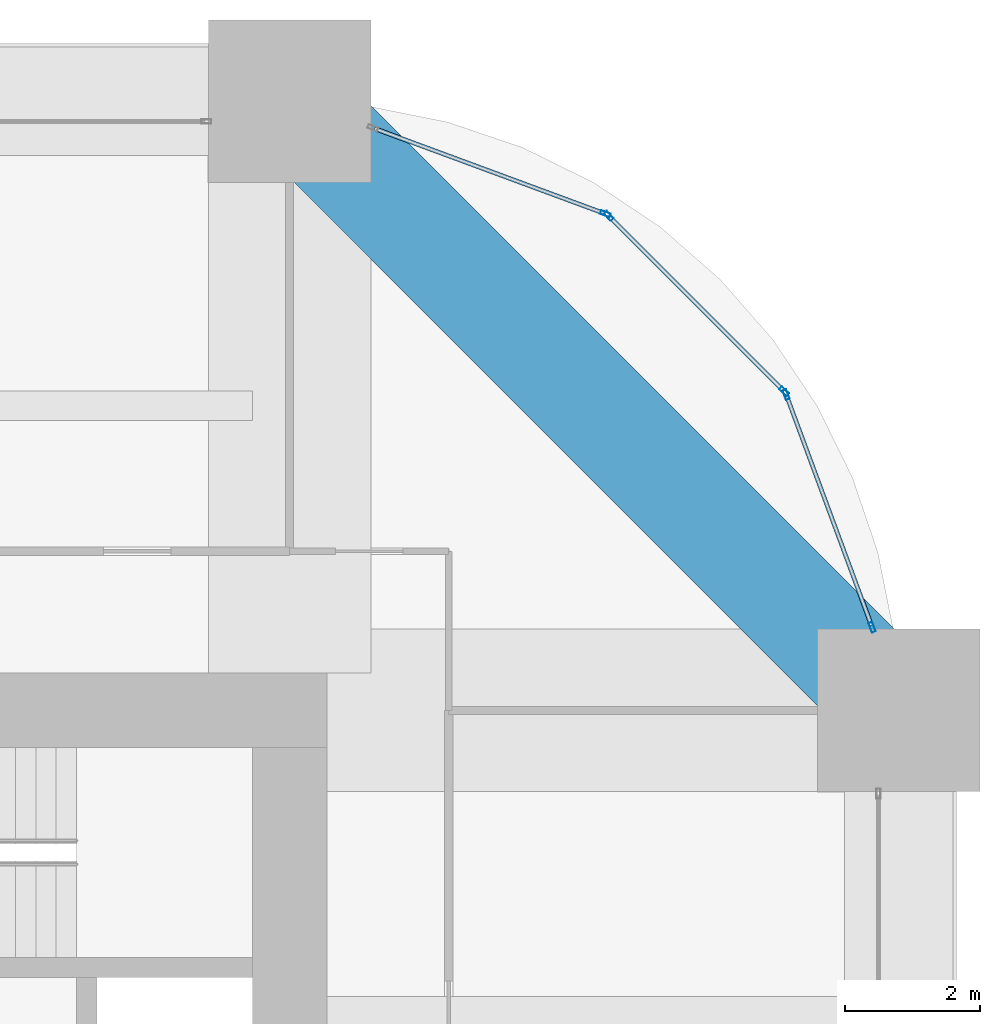
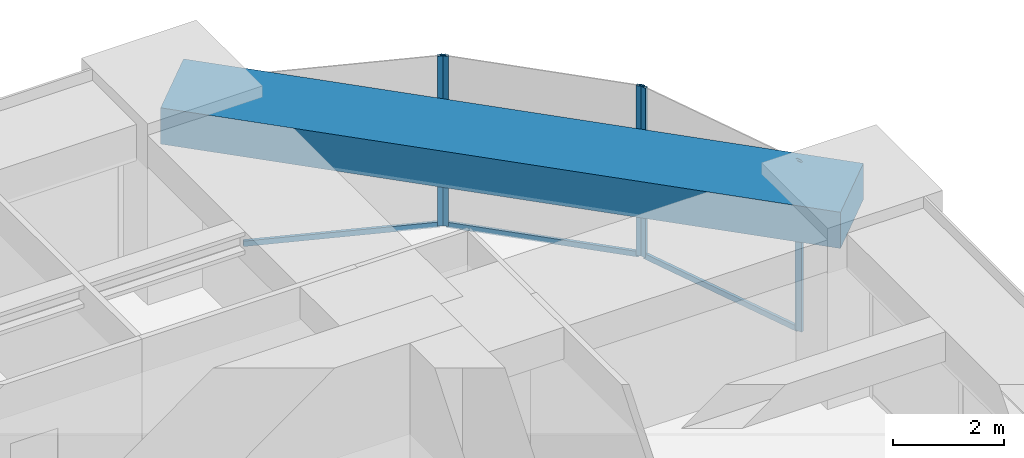
# One storey, part 28 of 35: 8 members, 1 beam, 3 elements without a shape of their own.
"""IFC4 building model written with IfcOpenShell, lengths in metres."""

from ifc_helpers import new_model, si_unit, direction, frame, origin, origin_2d, place, context, subcontext, project, spatial, rectangle, hollow_rectangle, extrude, material, material_profile, profile_set, type_object, element, aggregate, save


model = new_model("IFC4")

# Units and contexts
model_context = context("Model", 3, precision=1e-05, world=origin(), true_north=direction((0.0, 1.0)))
body_context = subcontext(model_context, "Body", "Model", "MODEL_VIEW")
ifc_project = project(units=[si_unit("LENGTHUNIT", "METRE"), si_unit("AREAUNIT", "SQUARE_METRE"), si_unit("VOLUMEUNIT", "CUBIC_METRE"), si_unit("PLANEANGLEUNIT", "RADIAN"), si_unit("MASSUNIT", "GRAM", prefix="KILO")], contexts=[model_context])

# Site, building, storey
site_placement = place(None, origin())
site = spatial("IfcSite", under=ifc_project, at=site_placement, CompositionType="ELEMENT")
building_placement = place(site_placement, origin())
building = spatial("IfcBuilding", under=site, at=building_placement, Name="Zorevar Civic Tower", CompositionType="ELEMENT")
storey_placement = place(building_placement, frame((0.0, 0.0, 222.199951171875)))
storey = spatial("IfcBuildingStorey", under=building, at=storey_placement, Name="L54", CompositionType="ELEMENT", Elevation=222.199951171875)

# Curtain wall, members
ifc_material_1 = material(Name="Dark grey solar-control glass in black aluminium frame", Category="aluminium")
curtain_wall_type = type_object("IfcCurtainWallType", Name="Curtain wall CW4 high zone", PredefinedType="NOTDEFINED", material=ifc_material_1)
curtain_wall_1_placement = place(storey_placement, origin())
curtain_wall_1 = element("IfcCurtainWall", 1, at=curtain_wall_1_placement, inside=storey, type_object=curtain_wall_type, Name="CW4 L54", PredefinedType="NOTDEFINED")
ifc_material_2 = material(Name="Aluminium, black anodised", Category="aluminium")
ifc_material_profile_1 = material_profile(ifc_material_2, hollow_rectangle(XDim=0.06005859375, YDim=0.14990234375, WallThickness=0.00390625, at=origin_2d()), Name="AL 150x60x4")
ifc_profile_set_1 = profile_set([ifc_material_profile_1], Name="Aluminium, black anodised")
member_type_1 = type_object("IfcMemberType", Name="CW4 mullion AL 150x60x4", PredefinedType="MULLION", material=ifc_profile_set_1)
member_1_placement = place(storey_placement, frame((53.6064453125, 37.22802734375, 0.0), z_axis=(0.0, 0.0, 1.0), x_axis=(-0.937974588163, -0.346704012033, 0.0)))
member_1 = element("IfcMember", 2, at=member_1_placement, type_object=member_type_1, Name="CW4 mullion 1", PredefinedType="MULLION", context=body_context, shape_type="SweptSolid", body=[
    extrude(hollow_rectangle(XDim=0.06005859375, YDim=0.14990234375, WallThickness=0.00390625, at=origin_2d()), origin(), (0.0, 0.0, 1.0), 3.75),
])
member_2_placement = place(storey_placement, frame((52.336181640625, 40.66455078125, 0.0), z_axis=(0.0, 0.0, 1.0), x_axis=(-0.937974588163, -0.346704012033, 0.0)))
member_2 = element("IfcMember", 3, at=member_2_placement, type_object=member_type_1, Name="CW4 mullion 2", PredefinedType="MULLION", context=body_context, shape_type="SweptSolid", body=[
    extrude(hollow_rectangle(XDim=0.06005859375, YDim=0.14990234375, WallThickness=0.00390625, at=origin_2d()), origin(), (0.0, 0.0, 1.0), 3.75),
])

curtain_wall_2_placement = place(storey_placement, origin())
curtain_wall_2 = element("IfcCurtainWall", 4, at=curtain_wall_2_placement, inside=storey, type_object=curtain_wall_type, Name="CW4 L54", PredefinedType="NOTDEFINED")
member_3_placement = place(storey_placement, frame((52.3046875, 40.7138671875, 0.0), z_axis=(0.0, 0.0, 1.0), x_axis=(-0.707106781187, -0.707106781187, 0.0)))
member_3 = element("IfcMember", 5, at=member_3_placement, type_object=member_type_1, Name="CW4 mullion 1", PredefinedType="MULLION", context=body_context, shape_type="SweptSolid", body=[
    extrude(hollow_rectangle(XDim=0.06005859375, YDim=0.14990234375, WallThickness=0.00390625, at=origin_2d()), origin(), (0.0, 0.0, 1.0), 3.75),
])
member_4_placement = place(storey_placement, frame((49.7138671875, 43.3046875, 0.0), z_axis=(0.0, 0.0, 1.0), x_axis=(-0.707106781187, -0.707106781187, 0.0)))
member_4 = element("IfcMember", 6, at=member_4_placement, type_object=member_type_1, Name="CW4 mullion 2", PredefinedType="MULLION", context=body_context, shape_type="SweptSolid", body=[
    extrude(hollow_rectangle(XDim=0.06005859375, YDim=0.14990234375, WallThickness=0.00390625, at=origin_2d()), origin(), (0.0, 0.0, 1.0), 3.75),
])

# Curtain wall, member
curtain_wall_3_placement = place(storey_placement, origin())
curtain_wall_3 = element("IfcCurtainWall", 7, at=curtain_wall_3_placement, inside=storey, type_object=curtain_wall_type, Name="CW4 L54", PredefinedType="NOTDEFINED")
member_5_placement = place(storey_placement, frame((49.66455078125, 43.336181640625, 0.0), z_axis=(0.0, 0.0, 1.0), x_axis=(-0.346704012033, -0.937974588163, 0.0)))
member_5 = element("IfcMember", 8, at=member_5_placement, type_object=member_type_1, Name="CW4 mullion 1", PredefinedType="MULLION", context=body_context, shape_type="SweptSolid", body=[
    extrude(hollow_rectangle(XDim=0.06005859375, YDim=0.14990234375, WallThickness=0.00390625, at=origin_2d()), origin(), (0.0, 0.0, 1.0), 3.75),
])

# Member
ifc_material_3 = material(Name="Aluminium, black anodised", Category="aluminium")
ifc_material_profile_2 = material_profile(ifc_material_3, hollow_rectangle(XDim=0.06005859375, YDim=0.1201171875, WallThickness=0.0029296875, at=origin_2d()), Name="AL 120x60x3")
ifc_profile_set_2 = profile_set([ifc_material_profile_2], Name="Aluminium, black anodised")
member_type_2 = type_object("IfcMemberType", Name="CW4 transom AL 120x60x3", PredefinedType="USERDEFINED", material=ifc_profile_set_2)
member_6_placement = place(storey_placement, frame((53.595947265625, 37.25634765625, 0.030029296875), z_axis=(-0.346672169799, 0.93798635741, 0.0), x_axis=(-0.93798635741, -0.346672169799, 0.0)))
member_6 = element("IfcMember", 9, at=member_6_placement, type_object=member_type_2, Name="CW4 sill transom", ObjectType="TRANSOM", PredefinedType="USERDEFINED", context=body_context, shape_type="SweptSolid", body=[
    extrude(hollow_rectangle(XDim=0.06005859375, YDim=0.1201171875, WallThickness=0.0029296875, at=origin_2d()), origin(), (0.0, 0.0, 1.0), 3.603515625),
])

aggregate(curtain_wall_1, [member_1, member_2, member_6])

member_7_placement = place(storey_placement, frame((52.283447265625, 40.735107421875, 0.030029296875), z_axis=(-0.707106781187, 0.707106781187, 0.0), x_axis=(-0.707106781187, -0.707106781187, 0.0)))
member_7 = element("IfcMember", 10, at=member_7_placement, type_object=member_type_2, Name="CW4 sill transom", ObjectType="TRANSOM", PredefinedType="USERDEFINED", context=body_context, shape_type="SweptSolid", body=[
    extrude(hollow_rectangle(XDim=0.06005859375, YDim=0.1201171875, WallThickness=0.0029296875, at=origin_2d()), origin(), (0.0, 0.0, 1.0), 3.60400390625),
])

aggregate(curtain_wall_2, [member_3, member_4, member_7])

member_8_placement = place(storey_placement, frame((49.636474609375, 43.3466796875, 0.030029296875), z_axis=(-0.93798635741, 0.346672169799, 0.0), x_axis=(-0.346672169799, -0.93798635741, 0.0)))
member_8 = element("IfcMember", 11, at=member_8_placement, type_object=member_type_2, Name="CW4 sill transom", ObjectType="TRANSOM", PredefinedType="USERDEFINED", context=body_context, shape_type="SweptSolid", body=[
    extrude(hollow_rectangle(XDim=0.06005859375, YDim=0.1201171875, WallThickness=0.0029296875, at=origin_2d()), origin(), (0.0, 0.0, 1.0), 3.603515625),
])

aggregate(curtain_wall_3, [member_5, member_8])

# Beam
ifc_material_4 = material(Name="Concrete C50/60", Category="concrete")
ifc_material_profile_3 = material_profile(ifc_material_4, rectangle(XDim=1.60009765625, YDim=0.800048828125, at=origin_2d()), Name="RC 1600x800")
ifc_profile_set_3 = profile_set([ifc_material_profile_3], Name="Concrete C50/60")
beam_type = type_object("IfcBeamType", Name="Edge beam RC 1600x800", PredefinedType="SPANDREL", material=ifc_profile_set_3)
beam_placement = place(storey_placement, frame((54.0, 36.0, 3.35009765625), z_axis=(-0.707106781187, 0.707106781187, 0.0), x_axis=(-0.707106781187, -0.707106781187, 0.0)))
element("IfcBeam", 12, at=beam_placement, inside=storey, type_object=beam_type, Name="Corner edge beam L55", PredefinedType="SPANDREL", context=body_context, shape_type="SweptSolid", body=[
    extrude(rectangle(XDim=1.60009765625, YDim=0.800048828125, at=origin_2d()), origin(), (0.0, 0.0, 1.0), 12.72802734375),
])

save(model, "model.ifc")
